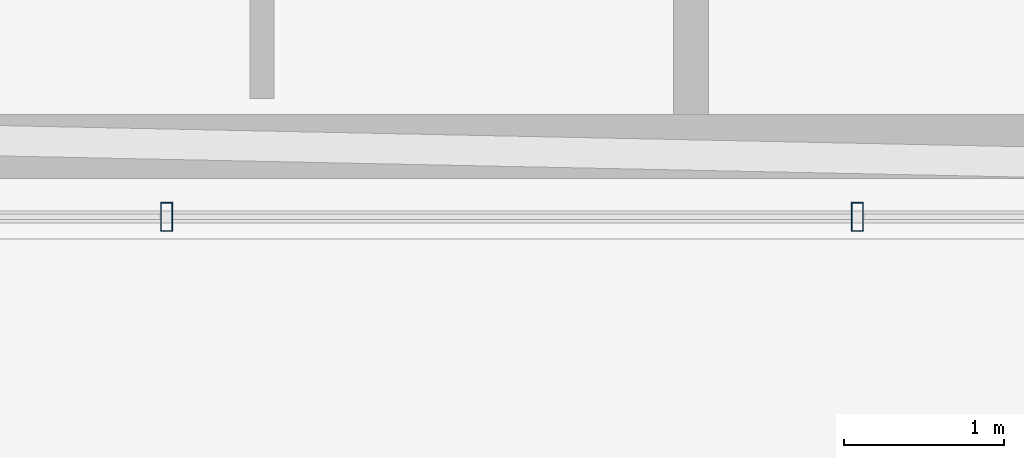
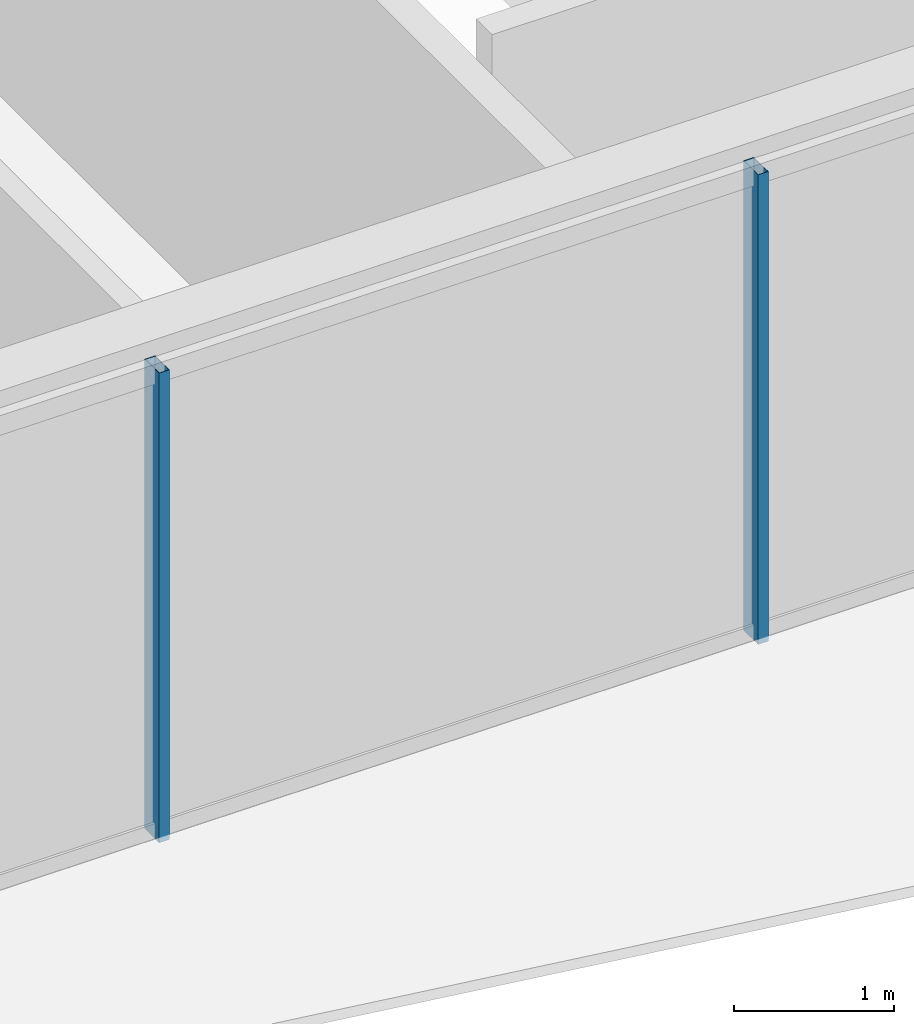
# One storey, part 6 of 37: 2 members, 1 element without a shape of its own.
"""IFC4 building model written with IfcOpenShell, lengths in metres."""

from ifc_helpers import new_model, si_unit, direction, frame, origin, origin_2d, place, context, subcontext, project, spatial, hollow_rectangle, extrude, material, layer, layer_set, material_profile, profile_set, type_object, element, aggregate, save


model = new_model("IFC4")

# Units and contexts
model_context = context("Model", 3, precision=1e-05, world=origin(), true_north=direction((0.0, 1.0)))
body_context = subcontext(model_context, "Body", "Model", "MODEL_VIEW")
ifc_project = project(units=[si_unit("LENGTHUNIT", "METRE"), si_unit("AREAUNIT", "SQUARE_METRE"), si_unit("VOLUMEUNIT", "CUBIC_METRE"), si_unit("PLANEANGLEUNIT", "RADIAN"), si_unit("MASSUNIT", "GRAM", prefix="KILO")], contexts=[model_context])

# Site, building, storey
site_placement = place(None, origin())
site = spatial("IfcSite", under=ifc_project, at=site_placement, CompositionType="ELEMENT")
building_placement = place(site_placement, origin())
building = spatial("IfcBuilding", under=site, at=building_placement, Name="Ndaravel Arena Tower", CompositionType="ELEMENT")
storey_placement = place(building_placement, frame((0.0, 0.0, 218.0)))
storey = spatial("IfcBuildingStorey", under=building, at=storey_placement, Name="L52", CompositionType="ELEMENT", Elevation=218.0)

# Curtain wall, members
ifc_material_1 = material(Name="Aluminium", Category="aluminium")
ifc_layer = layer(ifc_material_1, 0.179931640625)
ifc_layer_set = layer_set([ifc_layer], Name="Aluminium")
curtain_wall_type = type_object("IfcCurtainWallType", Name="CW-SYS-03", PredefinedType="NOTDEFINED", material=ifc_layer_set)
curtain_wall_placement = place(storey_placement, origin())
curtain_wall = element("IfcCurtainWall", 1, at=curtain_wall_placement, inside=storey, type_object=curtain_wall_type, Name="L52 Faceted Crystal Curtain Wall CW-L52-E01", PredefinedType="NOTDEFINED")
ifc_material_2 = material(Name="Aluminium", Category="aluminium")
ifc_material_profile = material_profile(ifc_material_2, hollow_rectangle(XDim=0.074951171875, YDim=0.179931640625, WallThickness=0.00390625, at=origin_2d()), Name="CW MULLION 75x180x4")
ifc_profile_set = profile_set([ifc_material_profile], Name="Aluminium")
member_type = type_object("IfcMemberType", Name="MEM-CW-MUL180", PredefinedType="MULLION", material=ifc_profile_set)
member_1_placement = place(storey_placement, frame((35.522216796875, 5.159912109375, 0.0), z_axis=(0.0, 0.0, 1.0), x_axis=(1.0, 0.0, 0.0)))
member_1 = element("IfcMember", 2, at=member_1_placement, type_object=member_type, Name="CW-L52-E01 Mullion 03", PredefinedType="MULLION", context=body_context, shape_type="SweptSolid", body=[
    extrude(hollow_rectangle(XDim=0.074951171875, YDim=0.179931640625, WallThickness=0.00390625, at=origin_2d()), origin(), (0.0, 0.0, 1.0), 3.580078125),
])
member_2_placement = place(storey_placement, frame((39.8408203125, 5.159912109375, 0.0), z_axis=(0.0, 0.0, 1.0), x_axis=(1.0, 0.0, 0.0)))
member_2 = element("IfcMember", 3, at=member_2_placement, type_object=member_type, Name="CW-L52-E01 Mullion 04", PredefinedType="MULLION", context=body_context, shape_type="SweptSolid", body=[
    extrude(hollow_rectangle(XDim=0.074951171875, YDim=0.179931640625, WallThickness=0.00390625, at=origin_2d()), origin(), (0.0, 0.0, 1.0), 3.580078125),
])
aggregate(curtain_wall, [member_1, member_2])

save(model, "model.ifc")
